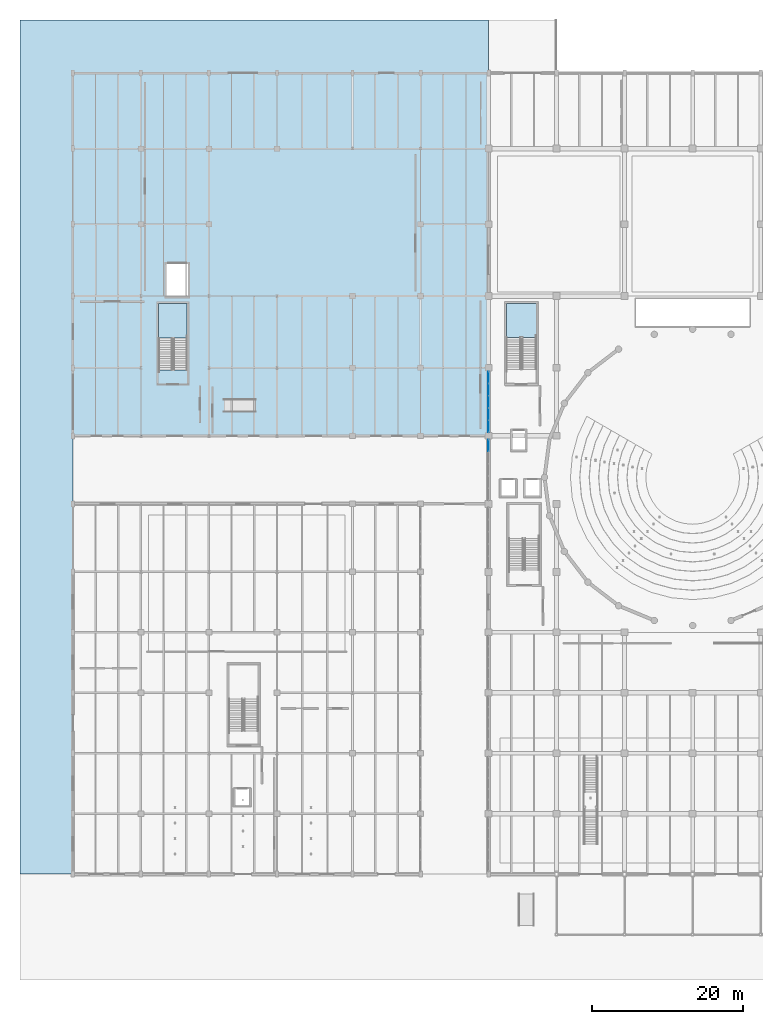
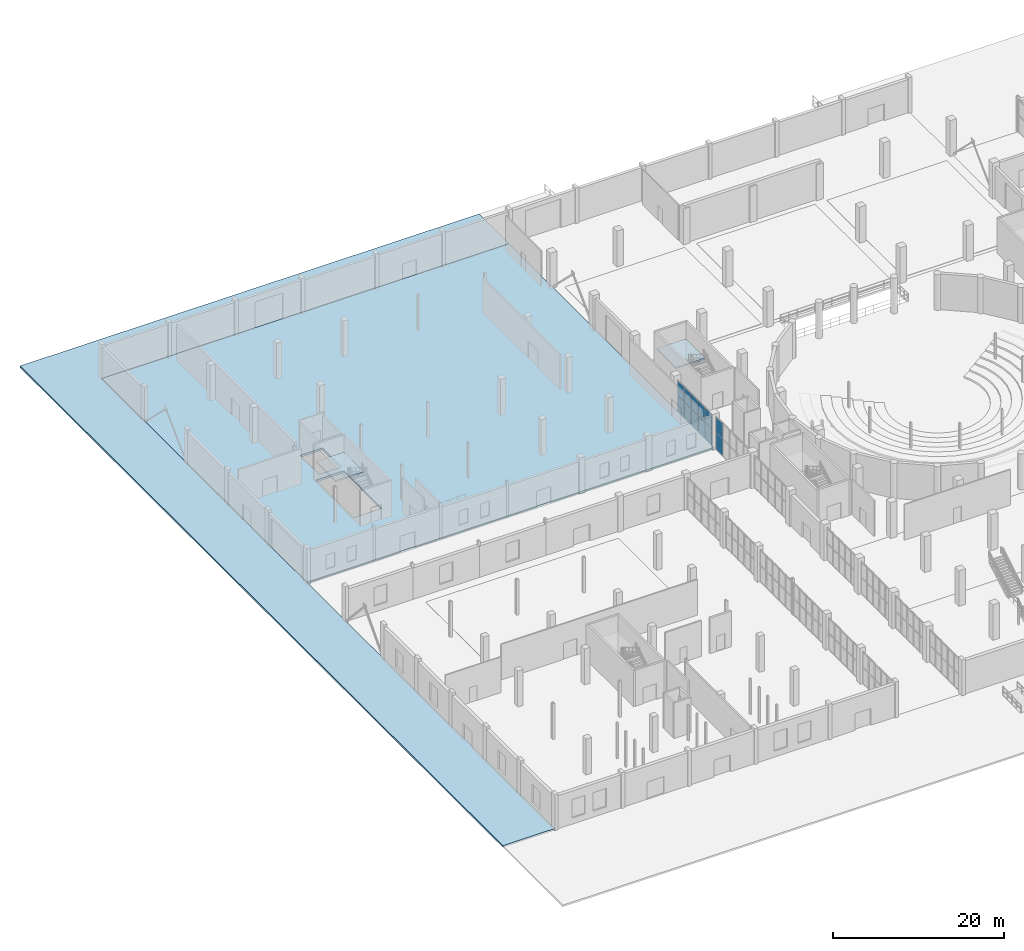
# One storey, part 71 of 103: 12 plates, 4 slabs, 4 elements without a shape of their own.
"""IFC4 building model written with IfcOpenShell, lengths in metres."""

import ifcopenshell
import ifcopenshell.guid

model = None  # the IFC model being written
_history = None  # IfcOwnerHistory: only IFC2X3 demands one
_inside = {}  # id of a spatial element -> (the spatial element, [elements in it])
_under = {}  # id of a project, library or spatial element -> (it, [spatial elements below it])
_declared = {}  # id of a project -> (the project, [libraries it declares])
_typed = {}  # id of a type object -> (the type object, [elements of that type])
_made_of = {}  # id of a material, layer set ... -> (it, [elements and type objects made of it])


def new_model(schema):
    """Start an empty IFC model of exactly this schema.

    Asked for "IFC4X3", IfcOpenShell would pick the latest addendum, in which some entities
    have other attributes; the version numbers below select the first issue.
    IFC2X3 requires an IfcOwnerHistory on every rooted entity: one is made here for all.
    """
    global model, _history
    if schema == "IFC4X3":
        model = ifcopenshell.file(schema_version=(4, 3, 0, 0))
    else:
        model = ifcopenshell.file(schema=schema)
    _inside.clear()
    _under.clear()
    _declared.clear()
    _typed.clear()
    _made_of.clear()
    _history = None
    if model.schema == "IFC2X3":
        org = make("IfcOrganization", Name="unknown")
        user = make(
            "IfcPersonAndOrganization",
            ThePerson=make("IfcPerson", FamilyName="unknown"),
            TheOrganization=org,
        )
        app = make(
            "IfcApplication",
            ApplicationDeveloper=org,
            Version="unknown",
            ApplicationFullName="unknown",
            ApplicationIdentifier="unknown",
        )
        _history = make(
            "IfcOwnerHistory",
            OwningUser=user,
            OwningApplication=app,
            ChangeAction="ADDED",
            CreationDate=0,
        )
    return model


def make(cls, **values):
    """One entity of the class cls with the attributes given. An attribute that is None is left unset."""
    return model.create_entity(
        cls, **{name: value for name, value in values.items() if value is not None}
    )


def rooted(cls, **values):
    """An entity with a GlobalId (a new one), such as an element, a storey or a relation."""
    return make(cls, GlobalId=ifcopenshell.guid.new(), OwnerHistory=_history, **values)


def si_unit(unit_type, name, prefix=None):
    """IfcSIUnit, for example si_unit("LENGTHUNIT", "METRE", prefix="MILLI")."""
    return make("IfcSIUnit", UnitType=unit_type, Prefix=prefix, Name=name)


def assignment(units):
    """IfcUnitAssignment: the units of a project."""
    return None if units is None else make("IfcUnitAssignment", Units=units)


def point(xyz):
    """IfcCartesianPoint."""
    return None if xyz is None else make("IfcCartesianPoint", Coordinates=xyz)


def direction(xyz):
    """IfcDirection."""
    return None if xyz is None else make("IfcDirection", DirectionRatios=xyz)


def frame(location, z_axis=None, x_axis=None):
    """IfcAxis2Placement3D, a coordinate frame: its origin and axes. An axis left out is left unset."""
    return make(
        "IfcAxis2Placement3D",
        Location=point(location),
        Axis=direction(z_axis),
        RefDirection=direction(x_axis),
    )


def frame_2d(location, x_axis=None):
    """IfcAxis2Placement2D, a coordinate frame in the plane: its origin and x axis."""
    return make(
        "IfcAxis2Placement2D", Location=point(location), RefDirection=direction(x_axis)
    )


def origin():
    """The frame at (0, 0, 0) with its axes left unset."""
    return frame((0.0, 0.0, 0.0))


def origin_2d():
    """The frame at (0, 0) in the plane with its x axis left unset."""
    return frame_2d((0.0, 0.0))


def place(relative_to, where):
    """IfcLocalPlacement: puts the frame where relative to a parent placement (None: the world)."""
    return make(
        "IfcLocalPlacement", PlacementRelTo=relative_to, RelativePlacement=where
    )


def context(
    kind, dimensions, precision=None, world=None, true_north=None, identifier=None
):
    """IfcGeometricRepresentationContext, for example the 3D "Model" context."""
    return make(
        "IfcGeometricRepresentationContext",
        ContextIdentifier=identifier,
        ContextType=kind,
        CoordinateSpaceDimension=dimensions,
        Precision=precision,
        WorldCoordinateSystem=world,
        TrueNorth=true_north,
    )


def subcontext(parent, identifier, kind, view, scale=None):
    """IfcGeometricRepresentationSubContext, for example "Body" below "Model"."""
    return make(
        "IfcGeometricRepresentationSubContext",
        ContextIdentifier=identifier,
        ContextType=kind,
        ParentContext=parent,
        TargetScale=scale,
        TargetView=view,
    )


def project(units=None, contexts=None):
    """IfcProject with its units and contexts."""
    return rooted(
        "IfcProject",
        Name="project",
        RepresentationContexts=contexts,
        UnitsInContext=assignment(units),
    )


def spatial(cls, under=None, at=None, **own):
    """A site, building, storey or space (cls), placed at a placement, below another one or the project."""
    s = rooted(cls, ObjectPlacement=at, **own)
    if under is not None:
        _under.setdefault(under.id(), (under, []))[1].append(s)
    return s


def polyline(points):
    """IfcPolyline through the points."""
    return make("IfcPolyline", Points=[point(p) for p in points])


def profile(cls, at=None, kind="AREA", **sizes):
    """A parametric profile (cls). Its sizes go by their IFC names, for example OverallWidth=200.0."""
    return make(cls, ProfileType=kind, Position=at, **sizes)


def rectangle(**sizes):
    """IfcRectangleProfileDef."""
    return profile("IfcRectangleProfileDef", **sizes)


def outline(outer, holes=None, kind="AREA"):
    """IfcArbitraryClosedProfileDef: a profile drawn as a closed curve; with holes, ...WithVoids."""
    if holes is None:
        return make("IfcArbitraryClosedProfileDef", ProfileType=kind, OuterCurve=outer)
    return make(
        "IfcArbitraryProfileDefWithVoids",
        ProfileType=kind,
        OuterCurve=outer,
        InnerCurves=holes,
    )


def extrude(swept, where, along, depth):
    """IfcExtrudedAreaSolid: the profile swept, set in the frame where, extruded along a direction by depth."""
    return make(
        "IfcExtrudedAreaSolid",
        SweptArea=swept,
        Position=where,
        ExtrudedDirection=direction(along),
        Depth=depth,
    )


def shape(context_of_items, identifier, shape_type, items):
    """IfcShapeRepresentation: the items that make up one representation, for example the "Body"."""
    return make(
        "IfcShapeRepresentation",
        ContextOfItems=context_of_items,
        RepresentationIdentifier=identifier,
        RepresentationType=shape_type,
        Items=items,
    )


def material(Name=None, Category=None):
    """IfcMaterial."""
    return make("IfcMaterial", Name=Name, Category=Category)


def layer(
    of_material, thickness, ventilated=None, Name=None, Category=None, Priority=None
):
    """IfcMaterialLayer: one layer of a wall or slab, of a material (None: an air gap)."""
    return make(
        "IfcMaterialLayer",
        Material=of_material,
        LayerThickness=thickness,
        IsVentilated=ventilated,
        Name=Name,
        Category=Category,
        Priority=Priority,
    )


def layer_set(layers, Name=None):
    """IfcMaterialLayerSet."""
    return make("IfcMaterialLayerSet", MaterialLayers=layers, LayerSetName=Name)


def made_of(thing, what):
    """Note that an element or type object is made of a material, layer set ...; save() writes the relation."""
    if what is not None:
        _made_of.setdefault(what.id(), (what, []))[1].append(thing)
    return thing


def type_object(cls, material=None, **own):
    """A type object (cls), such as IfcWallType, which elements share."""
    return made_of(rooted(cls, **own), material)


def element(
    cls,
    number,
    at=None,
    inside=None,
    cuts=None,
    type_object=None,
    material=None,
    context=None,
    identifier="Body",
    shape_type=None,
    held_by="IfcProductDefinitionShape",
    body=None,
    shapes=None,
    **own,
):
    """One element of the class cls, such as IfcWall. Its Tag is "e" and its number.

    at: its placement. inside: the storey or other place that contains it. cuts: it is an
    opening in that element (IfcRelVoidsElement). A single representation is given by context,
    identifier, shape_type and body (its items); several are given by shapes. held_by: the class
    of the entity that holds the representations. save() writes the other relations.
    """
    e = rooted(cls, Tag="e%d" % number, ObjectPlacement=at, **own)
    if body is not None:
        shapes = [shape(context, identifier, shape_type, body)]
    if shapes is not None:
        e.Representation = make(held_by, Representations=shapes)
    if inside is not None:
        _inside.setdefault(inside.id(), (inside, []))[1].append(e)
    if cuts is not None:
        rooted(
            "IfcRelVoidsElement", RelatingBuildingElement=cuts, RelatedOpeningElement=e
        )
    if type_object is not None:
        _typed.setdefault(type_object.id(), (type_object, []))[1].append(e)
    return made_of(e, material)


def aggregate(whole, parts):
    """IfcRelAggregates: a whole, such as a stair, and the parts it consists of."""
    return rooted("IfcRelAggregates", RelatingObject=whole, RelatedObjects=parts)


def save(model, path):
    """Write the relations noted so far, then the file.

    IfcRelAggregates (storeys below a building ...), IfcRelContainedInSpatialStructure (elements
    in a storey), IfcRelDefinesByType, IfcRelAssociatesMaterial and IfcRelDeclares: one each for
    every whole, place, type object, material and project.
    """
    for whole, parts in _under.values():
        aggregate(whole, parts)
    for where, things in _inside.values():
        rooted(
            "IfcRelContainedInSpatialStructure",
            RelatedElements=things,
            RelatingStructure=where,
        )
    for kind, things in _typed.values():
        rooted("IfcRelDefinesByType", RelatedObjects=things, RelatingType=kind)
    for what, things in _made_of.values():
        rooted("IfcRelAssociatesMaterial", RelatedObjects=things, RelatingMaterial=what)
    for by, libraries in _declared.values():
        rooted("IfcRelDeclares", RelatingContext=by, RelatedDefinitions=libraries)
    model.write(path)


model = new_model("IFC4")

# Units and contexts
model_context = context("Model", 3, precision=1e-05, world=origin(), true_north=direction((0.0, 1.0)))
body_context = subcontext(model_context, "Body", "Model", "MODEL_VIEW")
ifc_project = project(units=[si_unit("LENGTHUNIT", "METRE"), si_unit("AREAUNIT", "SQUARE_METRE"), si_unit("VOLUMEUNIT", "CUBIC_METRE"), si_unit("PLANEANGLEUNIT", "RADIAN"), si_unit("MASSUNIT", "GRAM", prefix="KILO")], contexts=[model_context])

# Site, building, storey
site_placement = place(None, origin())
site = spatial("IfcSite", under=ifc_project, at=site_placement, CompositionType="ELEMENT")
building_placement = place(site_placement, origin())
building = spatial("IfcBuilding", under=site, at=building_placement, Name="Marnock Terrace Opera House", CompositionType="ELEMENT")
storey_placement = place(building_placement, origin())
storey = spatial("IfcBuildingStorey", under=building, at=storey_placement, Name="L00", CompositionType="ELEMENT", Elevation=0.0)

# Curtain wall, plates
ifc_material_1 = material(Name="Anodised architectural bronze aluminium framing", Category="aluminium")
ifc_layer_1 = layer(ifc_material_1, 0.159912109375)
ifc_layer_set_1 = layer_set([ifc_layer_1], Name="Anodised architectural bronze aluminium framing")
curtain_wall_type = type_object("IfcCurtainWallType", Name="CW-FOYER-90x51", PredefinedType="NOTDEFINED", material=ifc_layer_set_1)
curtain_wall_1_placement = place(storey_placement, origin())
curtain_wall_1 = element("IfcCurtainWall", 1, at=curtain_wall_1_placement, inside=storey, type_object=curtain_wall_type, Name="L00 glazed Beaux-Arts colonnade curtain wall CW-V1W-L00-07", PredefinedType="NOTDEFINED")
ifc_material_2 = material(Name="Double-glazed acoustic low-E laminated glass", Category="glass")
ifc_layer_2 = layer(ifc_material_2, 0.028076171875)
ifc_layer_set_2 = layer_set([ifc_layer_2], Name="Double-glazed acoustic low-E laminated glass")
plate_type_1 = type_object("IfcPlateType", Name="CWP-GLZ-28", PredefinedType="CURTAIN_PANEL", material=ifc_layer_set_2)
plate_1_placement = place(storey_placement, frame((55.0, 64.728271484375, 0.06005859375), z_axis=(0.0, 0.0, 1.0), x_axis=(0.0, 1.0, 0.0)))
plate_1 = element("IfcPlate", 2, at=plate_1_placement, type_object=plate_type_1, Name="CW-31 panel 5.1", PredefinedType="CURTAIN_PANEL", context=body_context, shape_type="SweptSolid", body=[
    extrude(rectangle(XDim=1.531494140625, YDim=0.028076171875, at=origin_2d()), origin(), (0.0, 0.0, 1.0), 2.371826171875),
])
plate_2_placement = place(storey_placement, frame((55.0, 64.728271484375, 2.491943359375), z_axis=(0.0, 0.0, 1.0), x_axis=(0.0, 1.0, 0.0)))
plate_2 = element("IfcPlate", 3, at=plate_2_placement, type_object=plate_type_1, Name="CW-31 panel 5.2", PredefinedType="CURTAIN_PANEL", context=body_context, shape_type="SweptSolid", body=[
    extrude(rectangle(XDim=1.531494140625, YDim=0.028076171875, at=origin_2d()), origin(), (0.0, 0.0, 1.0), 2.1826171875),
])
aggregate(curtain_wall_1, [plate_1, plate_2])

curtain_wall_2_placement = place(storey_placement, origin())
curtain_wall_2 = element("IfcCurtainWall", 4, at=curtain_wall_2_placement, inside=storey, type_object=curtain_wall_type, Name="L00 glazed Beaux-Arts colonnade curtain wall CW-V1W-L00-08", PredefinedType="NOTDEFINED")
ifc_layer_3 = layer(ifc_material_1, 0.035888671875)
ifc_layer_set_3 = layer_set([ifc_layer_3], Name="Anodised architectural bronze aluminium framing")
plate_type_2 = type_object("IfcPlateType", Name="CWP-SPAND-36", PredefinedType="CURTAIN_PANEL", material=ifc_layer_set_3)
plate_3_placement = place(storey_placement, frame((55.0, 67.271728515625, 0.06005859375), z_axis=(0.0, 0.0, 1.0), x_axis=(0.0, 1.0, 0.0)))
plate_3 = element("IfcPlate", 5, at=plate_3_placement, type_object=plate_type_2, Name="CW-31 panel 1.1", PredefinedType="CURTAIN_PANEL", context=body_context, shape_type="SweptSolid", body=[
    extrude(rectangle(XDim=1.531494140625, YDim=0.028076171875, at=origin_2d()), origin(), (0.0, 0.0, 1.0), 2.243896484375),
])
plate_4_placement = place(storey_placement, frame((55.0, 67.271728515625, 2.36376953125), z_axis=(0.0, 0.0, 1.0), x_axis=(0.0, 1.0, 0.0)))
plate_4 = element("IfcPlate", 6, at=plate_4_placement, type_object=plate_type_2, Name="CW-31 panel 1.2", PredefinedType="CURTAIN_PANEL", context=body_context, shape_type="SweptSolid", body=[
    extrude(rectangle(XDim=1.531494140625, YDim=0.028076171875, at=origin_2d()), origin(), (0.0, 0.0, 1.0), 2.064208984375),
])
plate_5_placement = place(storey_placement, frame((55.0, 68.87841796875, 0.06005859375), z_axis=(0.0, 0.0, 1.0), x_axis=(0.0, 1.0, 0.0)))
plate_5 = element("IfcPlate", 7, at=plate_5_placement, type_object=plate_type_2, Name="CW-31 panel 2.1", PredefinedType="CURTAIN_PANEL", context=body_context, shape_type="SweptSolid", body=[
    extrude(rectangle(XDim=1.5615234375, YDim=0.028076171875, at=origin_2d()), origin(), (0.0, 0.0, 1.0), 2.243896484375),
])
plate_6_placement = place(storey_placement, frame((55.0, 68.87841796875, 2.36376953125), z_axis=(0.0, 0.0, 1.0), x_axis=(0.0, 1.0, 0.0)))
plate_6 = element("IfcPlate", 8, at=plate_6_placement, type_object=plate_type_2, Name="CW-31 panel 2.2", PredefinedType="CURTAIN_PANEL", context=body_context, shape_type="SweptSolid", body=[
    extrude(rectangle(XDim=1.5615234375, YDim=0.028076171875, at=origin_2d()), origin(), (0.0, 0.0, 1.0), 2.064208984375),
])
plate_7_placement = place(storey_placement, frame((55.0, 70.5, 0.06005859375), z_axis=(0.0, 0.0, 1.0), x_axis=(0.0, 1.0, 0.0)))
plate_7 = element("IfcPlate", 9, at=plate_7_placement, type_object=plate_type_2, Name="CW-31 panel 3.1", PredefinedType="CURTAIN_PANEL", context=body_context, shape_type="SweptSolid", body=[
    extrude(rectangle(XDim=1.5615234375, YDim=0.028076171875, at=origin_2d()), origin(), (0.0, 0.0, 1.0), 2.243896484375),
])
plate_8_placement = place(storey_placement, frame((55.0, 70.5, 2.36376953125), z_axis=(0.0, 0.0, 1.0), x_axis=(0.0, 1.0, 0.0)))
plate_8 = element("IfcPlate", 10, at=plate_8_placement, type_object=plate_type_2, Name="CW-31 panel 3.2", PredefinedType="CURTAIN_PANEL", context=body_context, shape_type="SweptSolid", body=[
    extrude(rectangle(XDim=1.5615234375, YDim=0.028076171875, at=origin_2d()), origin(), (0.0, 0.0, 1.0), 2.064208984375),
])
plate_9_placement = place(storey_placement, frame((55.0, 72.12158203125, 0.06005859375), z_axis=(0.0, 0.0, 1.0), x_axis=(0.0, 1.0, 0.0)))
plate_9 = element("IfcPlate", 11, at=plate_9_placement, type_object=plate_type_2, Name="CW-31 panel 4.1", PredefinedType="CURTAIN_PANEL", context=body_context, shape_type="SweptSolid", body=[
    extrude(rectangle(XDim=1.5615234375, YDim=0.028076171875, at=origin_2d()), origin(), (0.0, 0.0, 1.0), 2.243896484375),
])
plate_10_placement = place(storey_placement, frame((55.0, 72.12158203125, 2.36376953125), z_axis=(0.0, 0.0, 1.0), x_axis=(0.0, 1.0, 0.0)))
plate_10 = element("IfcPlate", 12, at=plate_10_placement, type_object=plate_type_2, Name="CW-31 panel 4.2", PredefinedType="CURTAIN_PANEL", context=body_context, shape_type="SweptSolid", body=[
    extrude(rectangle(XDim=1.5615234375, YDim=0.028076171875, at=origin_2d()), origin(), (0.0, 0.0, 1.0), 2.064208984375),
])
plate_11_placement = place(storey_placement, frame((55.0, 73.728271484375, 0.06005859375), z_axis=(0.0, 0.0, 1.0), x_axis=(0.0, 1.0, 0.0)))
plate_11 = element("IfcPlate", 13, at=plate_11_placement, type_object=plate_type_2, Name="CW-31 panel 5.1", PredefinedType="CURTAIN_PANEL", context=body_context, shape_type="SweptSolid", body=[
    extrude(rectangle(XDim=1.531494140625, YDim=0.028076171875, at=origin_2d()), origin(), (0.0, 0.0, 1.0), 2.243896484375),
])
plate_12_placement = place(storey_placement, frame((55.0, 73.728271484375, 2.36376953125), z_axis=(0.0, 0.0, 1.0), x_axis=(0.0, 1.0, 0.0)))
plate_12 = element("IfcPlate", 14, at=plate_12_placement, type_object=plate_type_2, Name="CW-31 panel 5.2", PredefinedType="CURTAIN_PANEL", context=body_context, shape_type="SweptSolid", body=[
    extrude(rectangle(XDim=1.531494140625, YDim=0.028076171875, at=origin_2d()), origin(), (0.0, 0.0, 1.0), 2.064208984375),
])
aggregate(curtain_wall_2, [plate_3, plate_4, plate_5, plate_6, plate_7, plate_8, plate_9, plate_10, plate_11, plate_12])

# Slabs
ifc_material_3 = material(Name="Concrete N32 (f'c = 32 MPa)", Category="concrete")
ifc_layer_4 = layer(ifc_material_3, 0.239990234375)
ifc_layer_set_4 = layer_set([ifc_layer_4], Name="Concrete N32 (f'c = 32 MPa)")
slab_type_1 = type_object("IfcSlabType", Name="SL-APRON-240", PredefinedType="BASESLAB", material=ifc_layer_set_4)
slab_1_placement = place(storey_placement, frame((0.0, 0.0, -0.239990234375)))
element("IfcSlab", 15, at=slab_1_placement, inside=storey, type_object=slab_type_1, Name="West sidewalk and continuous 6.5 m HGV scene-dock service loop apron", PredefinedType="BASESLAB", context=body_context, shape_type="SweptSolid", body=[
    extrude(outline(polyline([(-7.0, 8.0), (0.0, 8.0), (0.0, 114.0), (55.0, 114.0), (55.0, 121.0), (-7.0, 121.0), (-7.0, 8.0)])), origin(), (0.0, 0.0, 1.0), 0.239990234375),
])
ifc_material_4 = material(Name="Concrete N40 (f'c = 40 MPa)", Category="concrete")
ifc_layer_5 = layer(ifc_material_4, 0.300048828125)
ifc_layer_set_5 = layer_set([ifc_layer_5], Name="Concrete N40 (f'c = 40 MPa)")
slab_type_2 = type_object("IfcSlabType", Name="SL-FLR-300", PredefinedType="FLOOR", material=ifc_layer_set_5)
slab_2_placement = place(storey_placement, frame((0.0, 0.0, -0.300048828125)))
element("IfcSlab", 16, at=slab_2_placement, inside=storey, type_object=slab_type_2, Name="L00 Workshops Wing structural floor slab", PredefinedType="FLOOR", context=body_context, shape_type="SweptSolid", body=[
    extrude(outline(polyline([(0.0, 66.0), (55.0, 66.0), (55.0, 114.0), (0.0, 114.0), (0.0, 66.0)]), holes=[polyline([(15.1201171875, 74.719970703125), (15.1201171875, 83.52001953125), (11.320068359375, 83.52001953125), (11.320068359375, 74.719970703125), (15.1201171875, 74.719970703125)]), polyline([(12.280029296875, 84.3798828125), (15.320068359375, 84.3798828125), (15.320068359375, 88.820068359375), (12.280029296875, 88.820068359375), (12.280029296875, 84.3798828125)])]), origin(), (0.0, 0.0, 1.0), 0.300048828125),
])

# Stair, slab
stair_type_1 = type_object("IfcStairType", Name="ST-TYPE-2400", PredefinedType="HALF_TURN_STAIR", material=ifc_material_4)
stair_1_placement = place(storey_placement, origin())
stair_1 = element("IfcStair", 17, at=stair_1_placement, inside=storey, type_object=stair_type_1, Name="L00 ST-03", PredefinedType="HALF_TURN_STAIR")
ifc_layer_6 = layer(ifc_material_3, 0.199951171875)
ifc_layer_set_6 = layer_set([ifc_layer_6], Name="Concrete N32 (f'c = 32 MPa)")
slab_type_3 = type_object("IfcSlabType", Name="SL-LAND-200", PredefinedType="LANDING", material=ifc_layer_set_6)
slab_3_placement = place(storey_placement, frame((0.0, 0.0, 2.5)))
slab_3 = element("IfcSlab", 18, at=slab_3_placement, type_object=slab_type_3, Name="ST-03 landing 1", PredefinedType="LANDING", context=body_context, shape_type="SweptSolid", body=[
    extrude(outline(polyline([(61.320068359375, 79.0), (61.320068359375, 83.52001953125), (57.360107421875, 83.52001953125), (57.360107421875, 79.0), (61.320068359375, 79.0)])), origin(), (0.0, 0.0, 1.0), 0.199951171875),
])
aggregate(stair_1, [slab_3])

stair_type_2 = type_object("IfcStairType", Name="ST-TYPE-2000", PredefinedType="HALF_TURN_STAIR", material=ifc_material_4)
stair_2_placement = place(storey_placement, origin())
stair_2 = element("IfcStair", 19, at=stair_2_placement, inside=storey, type_object=stair_type_2, Name="L00 ST-07", PredefinedType="HALF_TURN_STAIR")
slab_4_placement = place(storey_placement, frame((0.0, 0.0, 2.5)))
slab_4 = element("IfcSlab", 20, at=slab_4_placement, type_object=slab_type_3, Name="ST-07 landing 1", PredefinedType="LANDING", context=body_context, shape_type="SweptSolid", body=[
    extrude(outline(polyline([(15.1201171875, 78.919921875), (15.1201171875, 83.52001953125), (11.320068359375, 83.52001953125), (11.320068359375, 78.919921875), (15.1201171875, 78.919921875)])), origin(), (0.0, 0.0, 1.0), 0.199951171875),
])
aggregate(stair_2, [slab_4])

save(model, "model.ifc")
